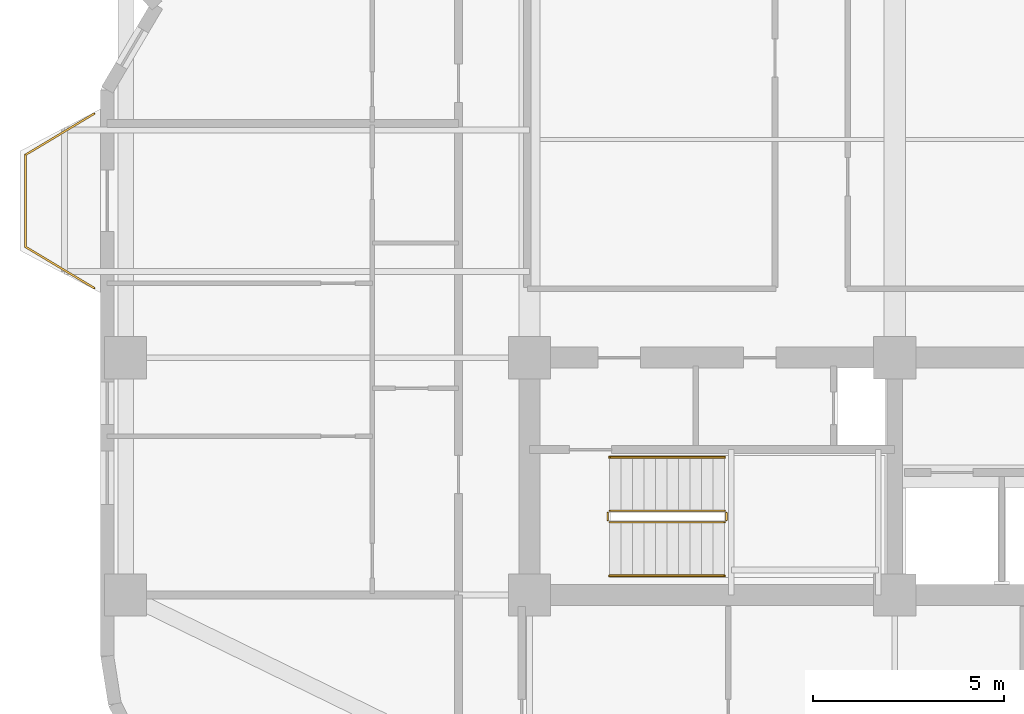
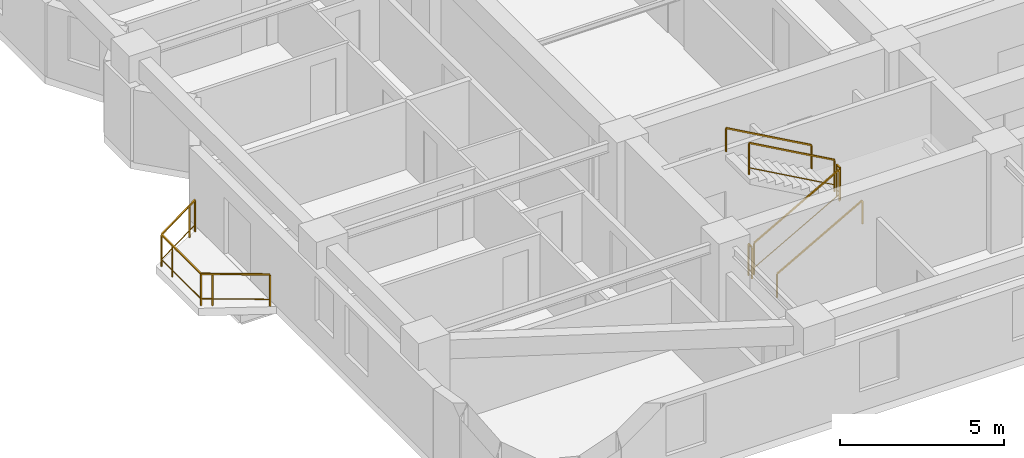
# One storey, part 9 of 10: 7 railings.
"""IFC4 building model written with IfcOpenShell, lengths in metres."""

from ifc_helpers import new_model, si_unit, direction, frame, origin, origin_2d, place, context, subcontext, project, spatial, rectangle, extrude, material, type_object, element, save


model = new_model("IFC4")

# Units and contexts
model_context = context("Model", 3, precision=1e-05, world=origin(), true_north=direction((0.0, 1.0)))
body_context = subcontext(model_context, "Body", "Model", "MODEL_VIEW")
ifc_project = project(units=[si_unit("LENGTHUNIT", "METRE"), si_unit("AREAUNIT", "SQUARE_METRE"), si_unit("VOLUMEUNIT", "CUBIC_METRE"), si_unit("PLANEANGLEUNIT", "RADIAN"), si_unit("MASSUNIT", "GRAM", prefix="KILO")], contexts=[model_context])

# Site, building, storey
site_placement = place(None, origin())
site = spatial("IfcSite", under=ifc_project, at=site_placement, CompositionType="ELEMENT")
building_placement = place(site_placement, origin())
building = spatial("IfcBuilding", under=site, at=building_placement, Name="Svetorya Sky Lyceum", CompositionType="ELEMENT")
storey_placement = place(building_placement, frame((0.0, 0.0, 110.5)))
storey = spatial("IfcBuildingStorey", under=building, at=storey_placement, Name="L27", CompositionType="ELEMENT", Elevation=110.5)

# Railings
ifc_material_1 = material(Name="Laminated safety glass and stainless AISI 316", Category="glass")
railing_type_1 = type_object("IfcRailingType", Name="RL-BAL-1200", PredefinedType="BALUSTRADE", material=ifc_material_1)
railing_1_placement = place(storey_placement, frame((14.22998046875, 18.6201171875, 0.0)))
element("IfcRailing", 1, at=railing_1_placement, inside=storey, type_object=railing_type_1, Name="L27 Balcony Balustrade BAL-W1", PredefinedType="BALUSTRADE", context=body_context, shape_type="SweptSolid", body=[
    extrude(rectangle(XDim=0.048095703125, YDim=0.048095703125, at=origin_2d()), frame((0.0, 0.0, 1.17578125), z_axis=(-0.85753397263, 0.514427337711, 0.0), x_axis=(-0.514427337711, -0.85753397263, 0.0)), (0.0, 0.0, 1.0), 2.09912109375),
    extrude(rectangle(XDim=0.02392578125, YDim=0.02392578125, at=origin_2d()), frame((0.0, 0.0, 0.25), z_axis=(-0.85753397263, 0.514427337711, 0.0), x_axis=(-0.514427337711, -0.85753397263, 0.0)), (0.0, 0.0, 1.0), 2.09912109375),
    extrude(rectangle(XDim=0.048095703125, YDim=0.048095703125, at=origin_2d()), frame((-1.800048828125, 1.079833984375, 1.17578125), z_axis=(0.0, 1.0, 0.0), x_axis=(-1.0, 0.0, 0.0)), (0.0, 0.0, 1.0), 2.400146484375),
    extrude(rectangle(XDim=0.02392578125, YDim=0.02392578125, at=origin_2d()), frame((-1.800048828125, 1.079833984375, 0.25), z_axis=(0.0, 1.0, 0.0), x_axis=(-1.0, 0.0, 0.0)), (0.0, 0.0, 1.0), 2.400146484375),
    extrude(rectangle(XDim=0.048095703125, YDim=0.048095703125, at=origin_2d()), frame((-1.800048828125, 3.47998046875, 1.17578125), z_axis=(0.85753397263, 0.514427337711, 0.0), x_axis=(-0.514427337711, 0.85753397263, 0.0)), (0.0, 0.0, 1.0), 2.09912109375),
    extrude(rectangle(XDim=0.02392578125, YDim=0.02392578125, at=origin_2d()), frame((-1.800048828125, 3.47998046875, 0.25), z_axis=(0.85753397263, 0.514427337711, 0.0), x_axis=(-0.514427337711, 0.85753397263, 0.0)), (0.0, 0.0, 1.0), 2.09912109375),
    extrude(rectangle(XDim=0.0419921875, YDim=0.0419921875, at=origin_2d()), origin(), (0.0, 0.0, 1.0), 1.15185546875),
    extrude(rectangle(XDim=0.0419921875, YDim=0.0419921875, at=origin_2d()), frame((-1.500732421875, 0.900146484375, 0.0)), (0.0, 0.0, 1.0), 1.15185546875),
    extrude(rectangle(XDim=0.0419921875, YDim=0.0419921875, at=origin_2d()), frame((-1.800048828125, 1.079833984375, 0.0)), (0.0, 0.0, 1.0), 1.15185546875),
    extrude(rectangle(XDim=0.0419921875, YDim=0.0419921875, at=origin_2d()), frame((-1.800048828125, 2.829833984375, 0.0)), (0.0, 0.0, 1.0), 1.15185546875),
    extrude(rectangle(XDim=0.0419921875, YDim=0.0419921875, at=origin_2d()), frame((-1.800048828125, 3.47998046875, 0.0)), (0.0, 0.0, 1.0), 1.15185546875),
    extrude(rectangle(XDim=0.0419921875, YDim=0.0419921875, at=origin_2d()), frame((-0.29931640625, 4.380126953125, 0.0)), (0.0, 0.0, 1.0), 1.15185546875),
    extrude(rectangle(XDim=0.0419921875, YDim=0.0419921875, at=origin_2d()), frame((0.0, 4.559814453125, 0.0)), (0.0, 0.0, 1.0), 1.15185546875),
])
ifc_material_2 = material(Name="Painted galvanized stair well guard")
railing_type_2 = type_object("IfcRailingType", Name="RL-STR-GUARD-1200", PredefinedType="GUARDRAIL", material=ifc_material_2)
railing_2_placement = place(storey_placement, frame((27.699951171875, 12.5, 0.168212890625)))
element("IfcRailing", 2, at=railing_2_placement, inside=storey, type_object=railing_type_2, Name="L27 ST-S stair guard 1", PredefinedType="GUARDRAIL", context=body_context, shape_type="SweptSolid", body=[
    extrude(rectangle(XDim=0.048095703125, YDim=0.048095703125, at=origin_2d()), frame((0.0, 0.0, 1.17578125), z_axis=(0.872272294576, 0.0, 0.489020494575), x_axis=(0.0, 1.0, 0.0)), (0.0, 0.0, 1.0), 3.439208984375),
    extrude(rectangle(XDim=0.02392578125, YDim=0.02392578125, at=origin_2d()), frame((0.0, 0.0, 0.25), z_axis=(0.872272294576, 0.0, 0.489020494575), x_axis=(0.0, 1.0, 0.0)), (0.0, 0.0, 1.0), 3.439208984375),
    extrude(rectangle(XDim=0.0419921875, YDim=0.0419921875, at=origin_2d()), origin(), (0.0, 0.0, 1.0), 1.15185546875),
    extrude(rectangle(XDim=0.0419921875, YDim=0.0419921875, at=origin_2d()), frame((3.0, 0.0, 1.681884765625)), (0.0, 0.0, 1.0), 1.15185546875),
])
railing_3_placement = place(storey_placement, frame((30.75, 12.550048828125, 1.85009765625)))
element("IfcRailing", 3, at=railing_3_placement, inside=storey, type_object=railing_type_2, Name="L27 ST-S stair guard 2", PredefinedType="GUARDRAIL", context=body_context, shape_type="SweptSolid", body=[
    extrude(rectangle(XDim=0.048095703125, YDim=0.048095703125, at=origin_2d()), frame((0.0, 0.0, 1.17578125), z_axis=(0.0, 1.0, 0.0), x_axis=(-1.0, 0.0, 0.0)), (0.0, 0.0, 1.0), 0.199951171875),
    extrude(rectangle(XDim=0.02392578125, YDim=0.02392578125, at=origin_2d()), frame((0.0, 0.0, 0.25), z_axis=(0.0, 1.0, 0.0), x_axis=(-1.0, 0.0, 0.0)), (0.0, 0.0, 1.0), 0.199951171875),
    extrude(rectangle(XDim=0.0419921875, YDim=0.0419921875, at=origin_2d()), origin(), (0.0, 0.0, 1.0), 1.15185546875),
    extrude(rectangle(XDim=0.0419921875, YDim=0.0419921875, at=origin_2d()), frame((0.0, 0.199951171875, 0.0)), (0.0, 0.0, 1.0), 1.15185546875),
])
railing_4_placement = place(storey_placement, frame((30.699951171875, 12.800048828125, 2.01806640625)))
element("IfcRailing", 4, at=railing_4_placement, inside=storey, type_object=railing_type_2, Name="L27 ST-S stair guard 3", PredefinedType="GUARDRAIL", context=body_context, shape_type="SweptSolid", body=[
    extrude(rectangle(XDim=0.048095703125, YDim=0.048095703125, at=origin_2d()), frame((0.0, 0.0, 1.17578125), z_axis=(-0.872272294576, 0.0, 0.489020494575), x_axis=(0.0, -1.0, 0.0)), (0.0, 0.0, 1.0), 3.439208984375),
    extrude(rectangle(XDim=0.02392578125, YDim=0.02392578125, at=origin_2d()), frame((0.0, 0.0, 0.25), z_axis=(-0.872272294576, 0.0, 0.489020494575), x_axis=(0.0, -1.0, 0.0)), (0.0, 0.0, 1.0), 3.439208984375),
    extrude(rectangle(XDim=0.0419921875, YDim=0.0419921875, at=origin_2d()), origin(), (0.0, 0.0, 1.0), 1.15185546875),
    extrude(rectangle(XDim=0.0419921875, YDim=0.0419921875, at=origin_2d()), frame((-3.0, 0.0, 1.681884765625)), (0.0, 0.0, 1.0), 1.15185546875),
])
railing_5_placement = place(storey_placement, frame((27.64990234375, 12.550048828125, 0.0)))
element("IfcRailing", 5, at=railing_5_placement, inside=storey, type_object=railing_type_2, Name="L27 ST-S stair guard 4", PredefinedType="GUARDRAIL", context=body_context, shape_type="SweptSolid", body=[
    extrude(rectangle(XDim=0.048095703125, YDim=0.048095703125, at=origin_2d()), frame((0.0, 0.0, 1.17578125), z_axis=(0.0, 1.0, 0.0), x_axis=(-1.0, 0.0, 0.0)), (0.0, 0.0, 1.0), 0.199951171875),
    extrude(rectangle(XDim=0.02392578125, YDim=0.02392578125, at=origin_2d()), frame((0.0, 0.0, 0.25), z_axis=(0.0, 1.0, 0.0), x_axis=(-1.0, 0.0, 0.0)), (0.0, 0.0, 1.0), 0.199951171875),
    extrude(rectangle(XDim=0.0419921875, YDim=0.0419921875, at=origin_2d()), origin(), (0.0, 0.0, 1.0), 1.15185546875),
    extrude(rectangle(XDim=0.0419921875, YDim=0.0419921875, at=origin_2d()), frame((0.0, 0.199951171875, 0.0)), (0.0, 0.0, 1.0), 1.15185546875),
])
ifc_material_3 = material(Name="Brushed stainless AISI 304 stair handrail")
railing_type_3 = type_object("IfcRailingType", Name="RL-STR-HAND-920", PredefinedType="HANDRAIL", material=ifc_material_3)
railing_6_placement = place(storey_placement, frame((27.699951171875, 11.10009765625, 0.168212890625)))
element("IfcRailing", 6, at=railing_6_placement, inside=storey, type_object=railing_type_3, Name="L27 ST-S stair handrail 1", PredefinedType="HANDRAIL", context=body_context, shape_type="SweptSolid", body=[
    extrude(rectangle(XDim=0.048095703125, YDim=0.048095703125, at=origin_2d()), frame((0.0, 0.0, 0.8759765625), z_axis=(0.872272294576, 0.0, 0.489020494575), x_axis=(0.0, 1.0, 0.0)), (0.0, 0.0, 1.0), 3.439208984375),
    extrude(rectangle(XDim=0.0419921875, YDim=0.0419921875, at=origin_2d()), origin(), (0.0, 0.0, 1.0), 0.851806640625),
    extrude(rectangle(XDim=0.0419921875, YDim=0.0419921875, at=origin_2d()), frame((3.0, 0.0, 1.681884765625)), (0.0, 0.0, 1.0), 0.851806640625),
])
railing_7_placement = place(storey_placement, frame((30.699951171875, 14.199951171875, 2.01806640625)))
element("IfcRailing", 7, at=railing_7_placement, inside=storey, type_object=railing_type_3, Name="L27 ST-S stair handrail 2", PredefinedType="HANDRAIL", context=body_context, shape_type="SweptSolid", body=[
    extrude(rectangle(XDim=0.048095703125, YDim=0.048095703125, at=origin_2d()), frame((0.0, 0.0, 0.8759765625), z_axis=(-0.872272294576, 0.0, 0.489020494575), x_axis=(0.0, -1.0, 0.0)), (0.0, 0.0, 1.0), 3.439208984375),
    extrude(rectangle(XDim=0.0419921875, YDim=0.0419921875, at=origin_2d()), origin(), (0.0, 0.0, 1.0), 0.851806640625),
    extrude(rectangle(XDim=0.0419921875, YDim=0.0419921875, at=origin_2d()), frame((-3.0, 0.0, 1.681884765625)), (0.0, 0.0, 1.0), 0.851806640625),
])

save(model, "model.ifc")
